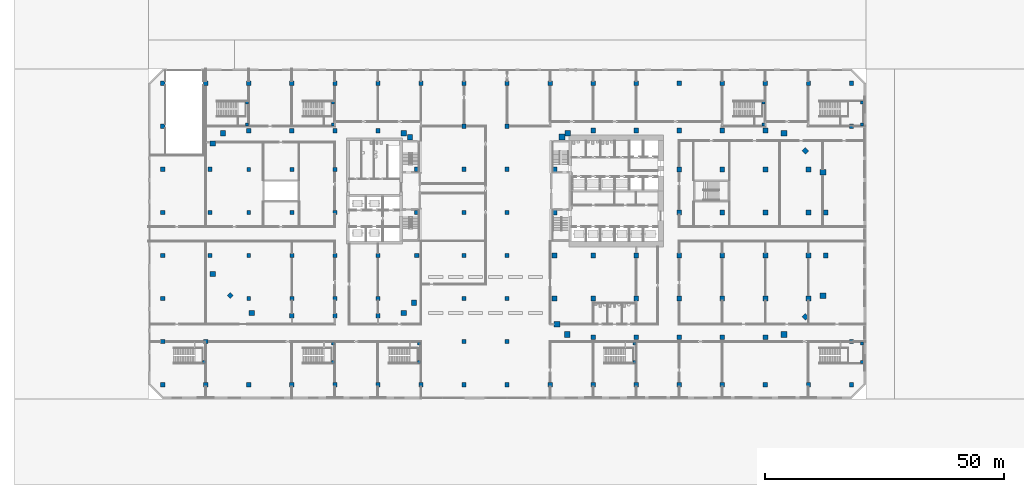
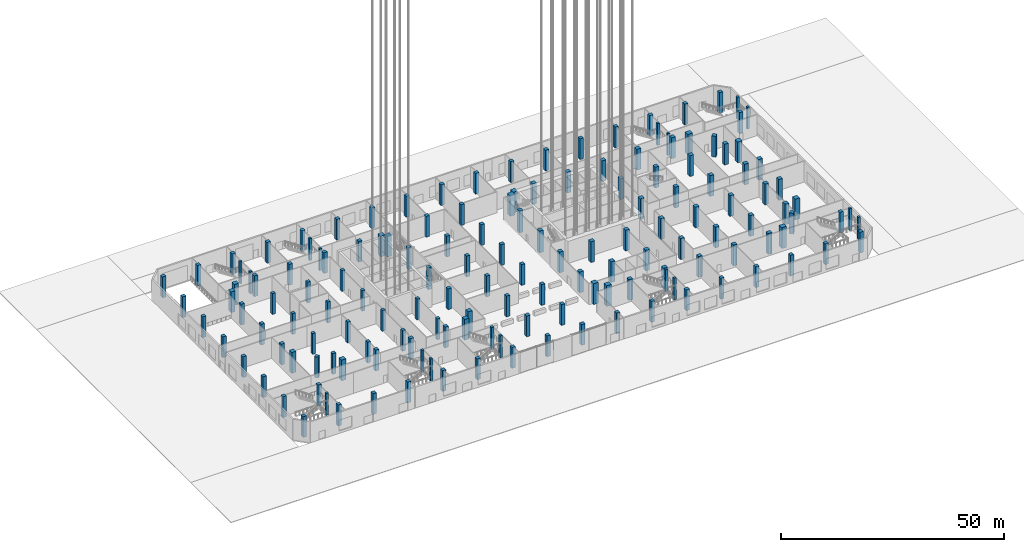
# One storey, part 1 of 55: 154 columns.
"""IFC4 building model written with IfcOpenShell, lengths in metres."""

from ifc_helpers import new_model, si_unit, direction, frame, origin, origin_2d, place, context, subcontext, project, spatial, rectangle, extrude, material, material_profile, profile_set, type_object, element, save


model = new_model("IFC4")

# Units and contexts
model_context = context("Model", 3, precision=1e-05, world=origin(), true_north=direction((0.0, 1.0)))
body_context = subcontext(model_context, "Body", "Model", "MODEL_VIEW")
ifc_project = project(units=[si_unit("LENGTHUNIT", "METRE"), si_unit("AREAUNIT", "SQUARE_METRE"), si_unit("VOLUMEUNIT", "CUBIC_METRE"), si_unit("PLANEANGLEUNIT", "RADIAN"), si_unit("MASSUNIT", "GRAM", prefix="KILO")], contexts=[model_context])

# Site, building, storey
site_placement = place(None, origin())
site = spatial("IfcSite", under=ifc_project, at=site_placement, CompositionType="ELEMENT")
building_placement = place(site_placement, origin())
building = spatial("IfcBuilding", under=site, at=building_placement, Name="Cinnabar Reach Civic Tower", CompositionType="ELEMENT")
storey_placement = place(building_placement, origin())
storey = spatial("IfcBuildingStorey", under=building, at=storey_placement, Name="L00", CompositionType="ELEMENT", Elevation=0.0)

# Columns
ifc_material_1 = material(Name="Concrete C70", Category="concrete")
ifc_material_profile_1 = material_profile(ifc_material_1, rectangle(XDim=1.0, YDim=1.0, at=origin_2d()), Name="RC1000")
ifc_profile_set_1 = profile_set([ifc_material_profile_1], Name="Concrete C70")
column_type_1 = type_object("IfcColumnType", Name="RC1000 column R 240", PredefinedType="COLUMN", material=ifc_profile_set_1)
for number, where, z_axis, x_axis, name in (
    (1, (9.0, 0.9, 0.0), (0.0, 0.0, 1.0), (1.0, 0.0, 0.0), "Column T1-Z1-F0-1"),
    (2, (18.0, 0.9, 0.0), (0.0, 0.0, 1.0), (1.0, 0.0, 0.0), "Column T1-Z1-F0-2"),
    (3, (27.0, 0.9, 0.0), (0.0, 0.0, 1.0), (1.0, 0.0, 0.0), "Column T1-Z1-F0-3"),
    (4, (36.0, 0.9, 0.0), (0.0, 0.0, 1.0), (1.0, 0.0, 0.0), "Column T1-Z1-F0-4"),
    (5, (45.0, 0.9, 0.0), (0.0, 0.0, 1.0), (1.0, 0.0, 0.0), "Column T1-Z1-F0-5"),
    (6, (53.3636, 5.1364, 0.0), (0.0, 0.0, 1.0), (0.707106781187, 0.707106781187, 0.0), "Column T1-Z1-F1-M"),
    (7, (57.6, 18.0, 0.0), (0.0, 0.0, 1.0), (1.0, 0.0, 0.0), "Column T1-Z1-F2-2"),
    (8, (57.6, 27.0, 0.0), (0.0, 0.0, 1.0), (1.0, 0.0, 0.0), "Column T1-Z1-F2-3"),
    (9, (53.3636, 39.8636, 0.0), (0.0, 0.0, 1.0), (0.707106781187, 0.707106781187, 0.0), "Column T1-Z1-F3-M"),
    (10, (9.0, 44.1, 0.0), (0.0, 0.0, 1.0), (1.0, 0.0, 0.0), "Column T1-Z1-F4-1"),
    (11, (18.0, 44.1, 0.0), (0.0, 0.0, 1.0), (1.0, 0.0, 0.0), "Column T1-Z1-F4-2"),
    (12, (27.0, 44.1, 0.0), (0.0, 0.0, 1.0), (1.0, 0.0, 0.0), "Column T1-Z1-F4-3"),
    (13, (36.0, 44.1, 0.0), (0.0, 0.0, 1.0), (1.0, 0.0, 0.0), "Column T1-Z1-F4-4"),
    (14, (45.0, 44.1, 0.0), (0.0, 0.0, 1.0), (1.0, 0.0, 0.0), "Column T1-Z1-F4-5"),
    (15, (0.9, 9.0, 0.0), (0.0, 0.0, 1.0), (1.0, 0.0, 0.0), "Column T1-Z1-F6-1"),
    (16, (0.9, 18.0, 0.0), (0.0, 0.0, 1.0), (1.0, 0.0, 0.0), "Column T1-Z1-F6-2"),
):
    element("IfcColumn", number, at=place(storey_placement, frame(where, z_axis=z_axis, x_axis=x_axis)), inside=storey, type_object=column_type_1, Name=name, PredefinedType="COLUMN", context=body_context, shape_type="SweptSolid", body=[
        extrude(rectangle(XDim=1.0, YDim=1.0, at=origin_2d()), origin(), (0.0, 0.0, 1.0), 5.7),
    ])
for number, where, z_axis, x_axis, name in (
    (17, (0.9, 27.0, 0.0), (0.0, 0.0, 1.0), (1.0, 0.0, 0.0), "Column T1-Z1-F6-3"),
    (18, (0.9, 36.0, 0.0), (0.0, 0.0, 1.0), (1.0, 0.0, 0.0), "Column T1-Z1-F6-4"),
):
    element("IfcColumn", number, at=place(storey_placement, frame(where, z_axis=z_axis, x_axis=x_axis)), inside=storey, type_object=column_type_1, Name=name, PredefinedType="COLUMN", context=body_context, shape_type="SweptSolid", body=[
        extrude(rectangle(XDim=1.0, YDim=1.0, at=origin_2d()), origin(), (0.0, 0.0, 1.0), 6.0),
    ])
for number, where, z_axis, x_axis, name in (
    (19, (9.0, 9.0, 0.0), (0.0, 0.0, 1.0), (1.0, 0.0, 0.0), "Column T1-Z1-I9_9"),
    (20, (9.0, 18.0, 0.0), (0.0, 0.0, 1.0), (1.0, 0.0, 0.0), "Column T1-Z1-I9_18"),
    (21, (18.0, 9.0, 0.0), (0.0, 0.0, 1.0), (1.0, 0.0, 0.0), "Column T1-Z1-I18_9"),
    (22, (18.0, 18.0, 0.0), (0.0, 0.0, 1.0), (1.0, 0.0, 0.0), "Column T1-Z1-I18_18"),
    (23, (27.0, 9.0, 0.0), (0.0, 0.0, 1.0), (1.0, 0.0, 0.0), "Column T1-Z1-I27_9"),
    (24, (27.0, 18.0, 0.0), (0.0, 0.0, 1.0), (1.0, 0.0, 0.0), "Column T1-Z1-I27_18"),
    (25, (27.0, 27.0, 0.0), (0.0, 0.0, 1.0), (1.0, 0.0, 0.0), "Column T1-Z1-I27_27"),
    (26, (27.0, 36.0, 0.0), (0.0, 0.0, 1.0), (1.0, 0.0, 0.0), "Column T1-Z1-I27_36"),
    (27, (36.0, 9.0, 0.0), (0.0, 0.0, 1.0), (1.0, 0.0, 0.0), "Column T1-Z1-I36_9"),
    (28, (36.0, 18.0, 0.0), (0.0, 0.0, 1.0), (1.0, 0.0, 0.0), "Column T1-Z1-I36_18"),
    (29, (36.0, 27.0, 0.0), (0.0, 0.0, 1.0), (1.0, 0.0, 0.0), "Column T1-Z1-I36_27"),
    (30, (36.0, 36.0, 0.0), (0.0, 0.0, 1.0), (1.0, 0.0, 0.0), "Column T1-Z1-I36_36"),
    (31, (45.0, 9.0, 0.0), (0.0, 0.0, 1.0), (1.0, 0.0, 0.0), "Column T1-Z1-I45_9"),
    (32, (45.0, 18.0, 0.0), (0.0, 0.0, 1.0), (1.0, 0.0, 0.0), "Column T1-Z1-I45_18"),
    (33, (45.0, 27.0, 0.0), (0.0, 0.0, 1.0), (1.0, 0.0, 0.0), "Column T1-Z1-I45_27"),
    (34, (45.0, 36.0, 0.0), (0.0, 0.0, 1.0), (1.0, 0.0, 0.0), "Column T1-Z1-I45_36"),
    (35, (54.0, 9.0, 0.0), (0.0, 0.0, 1.0), (1.0, 0.0, 0.0), "Column T1-Z1-I54_9"),
    (36, (54.0, 18.0, 0.0), (0.0, 0.0, 1.0), (1.0, 0.0, 0.0), "Column T1-Z1-I54_18"),
    (37, (54.0, 27.0, 0.0), (0.0, 0.0, 1.0), (1.0, 0.0, 0.0), "Column T1-Z1-I54_27"),
    (38, (54.0, 36.0, 0.0), (0.0, 0.0, 1.0), (1.0, 0.0, 0.0), "Column T1-Z1-I54_36"),
):
    element("IfcColumn", number, at=place(storey_placement, frame(where, z_axis=z_axis, x_axis=x_axis)), inside=storey, type_object=column_type_1, Name=name, PredefinedType="COLUMN", context=body_context, shape_type="SweptSolid", body=[
        extrude(rectangle(XDim=1.0, YDim=1.0, at=origin_2d()), origin(), (0.0, 0.0, 1.0), 5.7),
    ])
ifc_material_2 = material(Name="Concrete C80", Category="concrete")
ifc_material_profile_2 = material_profile(ifc_material_2, rectangle(XDim=1.1, YDim=1.1, at=origin_2d()), Name="RC1100")
ifc_profile_set_2 = profile_set([ifc_material_profile_2], Name="Concrete C80")
column_type_2 = type_object("IfcColumnType", Name="RC1100 column R 180", PredefinedType="COLUMN", material=ifc_profile_set_2)
for number, where, z_axis, x_axis, name in (
    (39, (-62.3981, 5.9531, 0.0), (0.0, 0.0, 1.0), (1.0, 0.0, 0.0), "Column T2-Z1-CC0"),
    (40, (-30.6019, 5.9531, 0.0), (0.0, 0.0, 1.0), (1.0, 0.0, 0.0), "Column T2-Z1-CC1"),
    (41, (-28.4531, 8.1019, 0.0), (0.0, 0.0, 1.0), (1.0, 0.0, 0.0), "Column T2-Z1-CC2"),
    (42, (-29.3131, 42.7, 0.0), (0.0, 0.0, 1.0), (1.0, 0.0, 0.0), "Column T2-Z1-CC3"),
    (43, (-30.6019, 43.5469, 0.0), (0.0, 0.0, 1.0), (1.0, 0.0, 0.0), "Column T2-Z1-CC4"),
    (44, (-68.3981, 43.5469, 0.0), (0.0, 0.0, 1.0), (1.0, 0.0, 0.0), "Column T2-Z1-CC5"),
    (45, (-70.5469, 41.3981, 0.0), (0.0, 0.0, 1.0), (1.0, 0.0, 0.0), "Column T2-Z1-CC6"),
    (46, (-70.5469, 14.1019, 0.0), (0.0, 0.0, 1.0), (1.0, 0.0, 0.0), "Column T2-Z1-CC7"),
):
    element("IfcColumn", number, at=place(storey_placement, frame(where, z_axis=z_axis, x_axis=x_axis)), inside=storey, type_object=column_type_2, Name=name, PredefinedType="COLUMN", context=body_context, shape_type="SweptSolid", body=[
        extrude(rectangle(XDim=1.1, YDim=1.1, at=origin_2d()), origin(), (0.0, 0.0, 1.0), 5.7),
    ])
ifc_material_profile_3 = material_profile(ifc_material_2, rectangle(XDim=1.2, YDim=1.2, at=origin_2d()), Name="RC1200")
ifc_profile_set_3 = profile_set([ifc_material_profile_3], Name="Concrete C80")
column_type_3 = type_object("IfcColumnType", Name="RC1200 column R 240", PredefinedType="COLUMN", material=ifc_profile_set_3)
for number, where, z_axis, x_axis, name in (
    (47, (3.6019, 1.4531, 0.0), (0.0, 0.0, 1.0), (1.0, 0.0, 0.0), "Column T1-Z1-CC0"),
    (48, (48.8981, 1.4531, 0.0), (0.0, 0.0, 1.0), (1.0, 0.0, 0.0), "Column T1-Z1-CC1"),
    (49, (57.0469, 9.6019, 0.0), (0.0, 0.0, 1.0), (1.0, 0.0, 0.0), "Column T1-Z1-CC2"),
    (50, (57.0469, 35.3981, 0.0), (0.0, 0.0, 1.0), (1.0, 0.0, 0.0), "Column T1-Z1-CC3"),
    (51, (48.8981, 43.5469, 0.0), (0.0, 0.0, 1.0), (1.0, 0.0, 0.0), "Column T1-Z1-CC4"),
    (52, (3.6666, 43.5737, 0.0), (0.0, 0.0, 1.0), (1.0, 0.0, 0.0), "Column T1-Z1-CC5"),
    (53, (2.4631, 42.75, 0.0), (0.0, 0.0, 1.0), (1.0, 0.0, 0.0), "Column T1-Z1-CC6"),
    (54, (1.4531, 3.6019, 0.0), (0.0, 0.0, 1.0), (1.0, 0.0, 0.0), "Column T1-Z1-CC7"),
):
    element("IfcColumn", number, at=place(storey_placement, frame(where, z_axis=z_axis, x_axis=x_axis)), inside=storey, type_object=column_type_3, Name=name, PredefinedType="COLUMN", context=body_context, shape_type="SweptSolid", body=[
        extrude(rectangle(XDim=1.2, YDim=1.2, at=origin_2d()), origin(), (0.0, 0.0, 1.0), 5.7),
    ])
ifc_material_3 = material(Name="Concrete C60", Category="concrete")
ifc_material_profile_4 = material_profile(ifc_material_3, rectangle(XDim=0.6, YDim=0.6, at=origin_2d()), Name="RC600")
ifc_profile_set_4 = profile_set([ifc_material_profile_4], Name="Concrete C60")
column_type_4 = type_object("IfcColumnType", Name="RC600 landing post R 240", PredefinedType="COLUMN", material=ifc_profile_set_4)
for number, where, z_axis, x_axis, name in (
    (55, (-72.4, -4.25, 0.0), (0.0, 0.0, 1.0), (1.0, 0.0, 0.0), "Landing post PS1 L00 1"),
    (56, (-63.4, 49.95, 0.0), (0.0, 0.0, 1.0), (1.0, 0.0, 0.0), "Landing post PS2 L00 1"),
    (57, (-63.4, 45.4, 0.0), (0.0, 0.0, 1.0), (1.0, 0.0, 0.0), "Landing post PS2 L00 2"),
    (58, (17.6, -4.25, 0.0), (0.0, 0.0, 1.0), (1.0, 0.0, 0.0), "Landing post PS3 L00 1"),
    (59, (17.6, -0.4, 0.0), (0.0, 0.0, 1.0), (1.0, 0.0, 0.0), "Landing post PS3 L00 2"),
    (60, (65.2, -4.25, 0.0), (0.0, 0.0, 1.0), (1.0, 0.0, 0.0), "Landing post PS4 L00 1"),
    (61, (65.2, -0.4, 0.0), (0.0, 0.0, 1.0), (1.0, 0.0, 0.0), "Landing post PS4 L00 2"),
    (62, (65.2, 49.95, 0.0), (0.0, 0.0, 1.0), (1.0, 0.0, 0.0), "Landing post PS5 L00 1"),
    (63, (65.2, 45.4, 0.0), (0.0, 0.0, 1.0), (1.0, 0.0, 0.0), "Landing post PS5 L00 2"),
    (64, (44.6, 49.95, 0.0), (0.0, 0.0, 1.0), (1.0, 0.0, 0.0), "Landing post PS6 L00 1"),
    (65, (44.6, 45.4, 0.0), (0.0, 0.0, 1.0), (1.0, 0.0, 0.0), "Landing post PS6 L00 2"),
    (66, (-45.4, 49.95, 0.0), (0.0, 0.0, 1.0), (1.0, 0.0, 0.0), "Landing post PS7 L00 1"),
    (67, (-45.4, 45.4, 0.0), (0.0, 0.0, 1.0), (1.0, 0.0, 0.0), "Landing post PS7 L00 2"),
    (68, (-45.4, -4.25, 0.0), (0.0, 0.0, 1.0), (1.0, 0.0, 0.0), "Landing post PS8 L00 1"),
    (69, (-45.4, -0.4, 0.0), (0.0, 0.0, 1.0), (1.0, 0.0, 0.0), "Landing post PS8 L00 2"),
    (70, (-27.4, -4.25, 0.0), (0.0, 0.0, 1.0), (1.0, 0.0, 0.0), "Landing post PS9 L00 1"),
    (71, (-27.4, -0.4, 0.0), (0.0, 0.0, 1.0), (1.0, 0.0, 0.0), "Landing post PS9 L00 2"),
):
    element("IfcColumn", number, at=place(storey_placement, frame(where, z_axis=z_axis, x_axis=x_axis)), inside=storey, type_object=column_type_4, Name=name, PredefinedType="COLUMN", context=body_context, shape_type="SweptSolid", body=[
        extrude(rectangle(XDim=0.6, YDim=0.6, at=origin_2d()), origin(), (0.0, 0.0, 1.0), 6.0),
    ])
ifc_material_profile_5 = material_profile(ifc_material_3, rectangle(XDim=0.8, YDim=0.8, at=origin_2d()), Name="RC800")
ifc_profile_set_5 = profile_set([ifc_material_profile_5], Name="Concrete C60")
column_type_5 = type_object("IfcColumnType", Name="RC800 column R 180", PredefinedType="COLUMN", material=ifc_profile_set_5)
for number, where, z_axis, x_axis, name in (
    (72, (-63.0, 9.0, 0.0), (0.0, 0.0, 1.0), (1.0, 0.0, 0.0), "Column T2-Z1-I-63_9"),
    (73, (-63.0, 18.0, 0.0), (0.0, 0.0, 1.0), (1.0, 0.0, 0.0), "Column T2-Z1-I-63_18"),
    (74, (-63.0, 27.0, 0.0), (0.0, 0.0, 1.0), (1.0, 0.0, 0.0), "Column T2-Z1-I-63_27"),
    (75, (-63.0, 36.0, 0.0), (0.0, 0.0, 1.0), (1.0, 0.0, 0.0), "Column T2-Z1-I-63_36"),
    (76, (-54.0, 9.0, 0.0), (0.0, 0.0, 1.0), (1.0, 0.0, 0.0), "Column T2-Z1-I-54_9"),
    (77, (-54.0, 18.0, 0.0), (0.0, 0.0, 1.0), (1.0, 0.0, 0.0), "Column T2-Z1-I-54_18"),
    (78, (-54.0, 27.0, 0.0), (0.0, 0.0, 1.0), (1.0, 0.0, 0.0), "Column T2-Z1-I-54_27"),
    (79, (-54.0, 36.0, 0.0), (0.0, 0.0, 1.0), (1.0, 0.0, 0.0), "Column T2-Z1-I-54_36"),
    (80, (-45.0, 9.0, 0.0), (0.0, 0.0, 1.0), (1.0, 0.0, 0.0), "Column T2-Z1-I-45_9"),
    (81, (-45.0, 18.0, 0.0), (0.0, 0.0, 1.0), (1.0, 0.0, 0.0), "Column T2-Z1-I-45_18"),
    (82, (-45.0, 27.0, 0.0), (0.0, 0.0, 1.0), (1.0, 0.0, 0.0), "Column T2-Z1-I-45_27"),
    (83, (-45.0, 36.0, 0.0), (0.0, 0.0, 1.0), (1.0, 0.0, 0.0), "Column T2-Z1-I-45_36"),
    (84, (-36.0, 9.0, 0.0), (0.0, 0.0, 1.0), (1.0, 0.0, 0.0), "Column T2-Z1-I-36_9"),
    (85, (-36.0, 18.0, 0.0), (0.0, 0.0, 1.0), (1.0, 0.0, 0.0), "Column T2-Z1-I-36_18"),
):
    element("IfcColumn", number, at=place(storey_placement, frame(where, z_axis=z_axis, x_axis=x_axis)), inside=storey, type_object=column_type_5, Name=name, PredefinedType="COLUMN", context=body_context, shape_type="SweptSolid", body=[
        extrude(rectangle(XDim=0.8, YDim=0.8, at=origin_2d()), origin(), (0.0, 0.0, 1.0), 5.7),
    ])
ifc_material_profile_6 = material_profile(ifc_material_1, rectangle(XDim=0.9, YDim=0.9, at=origin_2d()), Name="RC900")
ifc_profile_set_6 = profile_set([ifc_material_profile_6], Name="Concrete C70")
column_type_6 = type_object("IfcColumnType", Name="RC900 column R 180", PredefinedType="COLUMN", material=ifc_profile_set_6)
for number, where, z_axis, x_axis, name in (
    (86, (-54.0, 5.4, 0.0), (0.0, 0.0, 1.0), (1.0, 0.0, 0.0), "Column T2-Z1-F0--6"),
    (87, (-45.0, 5.4, 0.0), (0.0, 0.0, 1.0), (1.0, 0.0, 0.0), "Column T2-Z1-F0--5"),
    (88, (-36.0, 5.4, 0.0), (0.0, 0.0, 1.0), (1.0, 0.0, 0.0), "Column T2-Z1-F0--4"),
    (89, (-27.9, 18.0, 0.0), (0.0, 0.0, 1.0), (1.0, 0.0, 0.0), "Column T2-Z1-F2-2"),
):
    element("IfcColumn", number, at=place(storey_placement, frame(where, z_axis=z_axis, x_axis=x_axis)), inside=storey, type_object=column_type_6, Name=name, PredefinedType="COLUMN", context=body_context, shape_type="SweptSolid", body=[
        extrude(rectangle(XDim=0.9, YDim=0.9, at=origin_2d()), origin(), (0.0, 0.0, 1.0), 5.7),
    ])
for number, where, z_axis, x_axis, name in (
    (90, (-27.9, 27.0, 0.0), (0.0, 0.0, 1.0), (1.0, 0.0, 0.0), "Column T2-Z1-F2-3"),
    (91, (-27.9, 36.0, 0.0), (0.0, 0.0, 1.0), (1.0, 0.0, 0.0), "Column T2-Z1-F2-4"),
):
    element("IfcColumn", number, at=place(storey_placement, frame(where, z_axis=z_axis, x_axis=x_axis)), inside=storey, type_object=column_type_6, Name=name, PredefinedType="COLUMN", context=body_context, shape_type="SweptSolid", body=[
        extrude(rectangle(XDim=0.9, YDim=0.9, at=origin_2d()), origin(), (0.0, 0.0, 1.0), 6.0),
    ])
for number, where, z_axis, x_axis, name in (
    (92, (-63.0, 44.1, 0.0), (0.0, 0.0, 1.0), (1.0, 0.0, 0.0), "Column T2-Z1-F4--7"),
    (93, (-54.0, 44.1, 0.0), (0.0, 0.0, 1.0), (1.0, 0.0, 0.0), "Column T2-Z1-F4--6"),
    (94, (-45.0, 44.1, 0.0), (0.0, 0.0, 1.0), (1.0, 0.0, 0.0), "Column T2-Z1-F4--5"),
    (95, (-36.0, 44.1, 0.0), (0.0, 0.0, 1.0), (1.0, 0.0, 0.0), "Column T2-Z1-F4--4"),
    (96, (-71.1, 18.0, 0.0), (0.0, 0.0, 1.0), (1.0, 0.0, 0.0), "Column T2-Z1-F6-2"),
    (97, (-71.1, 27.0, 0.0), (0.0, 0.0, 1.0), (1.0, 0.0, 0.0), "Column T2-Z1-F6-3"),
    (98, (-71.1, 36.0, 0.0), (0.0, 0.0, 1.0), (1.0, 0.0, 0.0), "Column T2-Z1-F6-4"),
    (99, (-66.8636, 9.6364, 0.0), (0.0, 0.0, 1.0), (0.707106781187, 0.707106781187, 0.0), "Column T2-Z1-F7-M"),
):
    element("IfcColumn", number, at=place(storey_placement, frame(where, z_axis=z_axis, x_axis=x_axis)), inside=storey, type_object=column_type_6, Name=name, PredefinedType="COLUMN", context=body_context, shape_type="SweptSolid", body=[
        extrude(rectangle(XDim=0.9, YDim=0.9, at=origin_2d()), origin(), (0.0, 0.0, 1.0), 5.7),
    ])
ifc_material_profile_7 = material_profile(ifc_material_1, rectangle(XDim=0.9, YDim=0.9, at=origin_2d()), Name="RC900")
ifc_profile_set_7 = profile_set([ifc_material_profile_7], Name="Concrete C70")
column_type_7 = type_object("IfcColumnType", Name="RC900 column R 240", PredefinedType="COLUMN", material=ifc_profile_set_7)
for number, where, z_axis, x_axis, name in (
    (100, (-81.0, -9.0, 0.0), (0.0, 0.0, 1.0), (1.0, 0.0, 0.0), "Column -81/-9 L00"),
    (101, (-81.0, 0.0, 0.0), (0.0, 0.0, 1.0), (1.0, 0.0, 0.0), "Column -81/0 L00"),
    (102, (-81.0, 9.0, 0.0), (0.0, 0.0, 1.0), (1.0, 0.0, 0.0), "Column -81/9 L00"),
    (103, (-81.0, 18.0, 0.0), (0.0, 0.0, 1.0), (1.0, 0.0, 0.0), "Column -81/18 L00"),
    (104, (-81.0, 27.0, 0.0), (0.0, 0.0, 1.0), (1.0, 0.0, 0.0), "Column -81/27 L00"),
    (105, (-81.0, 36.0, 0.0), (0.0, 0.0, 1.0), (1.0, 0.0, 0.0), "Column -81/36 L00"),
    (106, (-81.0, 45.0, 0.0), (0.0, 0.0, 1.0), (1.0, 0.0, 0.0), "Column -81/45 L00"),
    (107, (-81.0, 54.0, 0.0), (0.0, 0.0, 1.0), (1.0, 0.0, 0.0), "Column -81/54 L00"),
    (108, (-72.0, -9.0, 0.0), (0.0, 0.0, 1.0), (1.0, 0.0, 0.0), "Column -72/-9 L00"),
    (109, (-72.0, 0.0, 0.0), (0.0, 0.0, 1.0), (1.0, 0.0, 0.0), "Column -72/0 L00"),
    (110, (-72.0, 54.0, 0.0), (0.0, 0.0, 1.0), (1.0, 0.0, 0.0), "Column -72/54 L00"),
    (111, (-63.0, -9.0, 0.0), (0.0, 0.0, 1.0), (1.0, 0.0, 0.0), "Column -63/-9 L00"),
    (112, (-63.0, 54.0, 0.0), (0.0, 0.0, 1.0), (1.0, 0.0, 0.0), "Column -63/54 L00"),
    (113, (-54.0, -9.0, 0.0), (0.0, 0.0, 1.0), (1.0, 0.0, 0.0), "Column -54/-9 L00"),
    (114, (-54.0, 54.0, 0.0), (0.0, 0.0, 1.0), (1.0, 0.0, 0.0), "Column -54/54 L00"),
    (115, (-45.0, -9.0, 0.0), (0.0, 0.0, 1.0), (1.0, 0.0, 0.0), "Column -45/-9 L00"),
    (116, (-45.0, 54.0, 0.0), (0.0, 0.0, 1.0), (1.0, 0.0, 0.0), "Column -45/54 L00"),
    (117, (-36.0, -9.0, 0.0), (0.0, 0.0, 1.0), (1.0, 0.0, 0.0), "Column -36/-9 L00"),
    (118, (-36.0, 54.0, 0.0), (0.0, 0.0, 1.0), (1.0, 0.0, 0.0), "Column -36/54 L00"),
    (119, (-27.0, -9.0, 0.0), (0.0, 0.0, 1.0), (1.0, 0.0, 0.0), "Column -27/-9 L00"),
    (120, (-27.0, 54.0, 0.0), (0.0, 0.0, 1.0), (1.0, 0.0, 0.0), "Column -27/54 L00"),
    (121, (-18.0, -9.0, 0.0), (0.0, 0.0, 1.0), (1.0, 0.0, 0.0), "Column -18/-9 L00"),
    (122, (-18.0, 0.0, 0.0), (0.0, 0.0, 1.0), (1.0, 0.0, 0.0), "Column -18/0 L00"),
    (123, (-18.0, 9.0, 0.0), (0.0, 0.0, 1.0), (1.0, 0.0, 0.0), "Column -18/9 L00"),
    (124, (-18.0, 18.0, 0.0), (0.0, 0.0, 1.0), (1.0, 0.0, 0.0), "Column -18/18 L00"),
    (125, (-18.0, 27.0, 0.0), (0.0, 0.0, 1.0), (1.0, 0.0, 0.0), "Column -18/27 L00"),
    (126, (-18.0, 36.0, 0.0), (0.0, 0.0, 1.0), (1.0, 0.0, 0.0), "Column -18/36 L00"),
    (127, (-18.0, 45.0, 0.0), (0.0, 0.0, 1.0), (1.0, 0.0, 0.0), "Column -18/45 L00"),
    (128, (-18.0, 54.0, 0.0), (0.0, 0.0, 1.0), (1.0, 0.0, 0.0), "Column -18/54 L00"),
    (129, (-9.0, -9.0, 0.0), (0.0, 0.0, 1.0), (1.0, 0.0, 0.0), "Column -9/-9 L00"),
    (130, (-9.0, 0.0, 0.0), (0.0, 0.0, 1.0), (1.0, 0.0, 0.0), "Column -9/0 L00"),
    (131, (-9.0, 9.0, 0.0), (0.0, 0.0, 1.0), (1.0, 0.0, 0.0), "Column -9/9 L00"),
    (132, (-9.0, 18.0, 0.0), (0.0, 0.0, 1.0), (1.0, 0.0, 0.0), "Column -9/18 L00"),
    (133, (-9.0, 27.0, 0.0), (0.0, 0.0, 1.0), (1.0, 0.0, 0.0), "Column -9/27 L00"),
    (134, (-9.0, 36.0, 0.0), (0.0, 0.0, 1.0), (1.0, 0.0, 0.0), "Column -9/36 L00"),
    (135, (-9.0, 45.0, 0.0), (0.0, 0.0, 1.0), (1.0, 0.0, 0.0), "Column -9/45 L00"),
    (136, (-9.0, 54.0, 0.0), (0.0, 0.0, 1.0), (1.0, 0.0, 0.0), "Column -9/54 L00"),
    (137, (0.0, -9.0, 0.0), (0.0, 0.0, 1.0), (1.0, 0.0, 0.0), "Column 0/-9 L00"),
    (138, (0.0, 54.0, 0.0), (0.0, 0.0, 1.0), (1.0, 0.0, 0.0), "Column 0/54 L00"),
    (139, (9.0, -9.0, 0.0), (0.0, 0.0, 1.0), (1.0, 0.0, 0.0), "Column 9/-9 L00"),
    (140, (9.0, 54.0, 0.0), (0.0, 0.0, 1.0), (1.0, 0.0, 0.0), "Column 9/54 L00"),
    (141, (18.0, -9.0, 0.0), (0.0, 0.0, 1.0), (1.0, 0.0, 0.0), "Column 18/-9 L00"),
    (142, (18.0, 54.0, 0.0), (0.0, 0.0, 1.0), (1.0, 0.0, 0.0), "Column 18/54 L00"),
    (143, (27.0, -9.0, 0.0), (0.0, 0.0, 1.0), (1.0, 0.0, 0.0), "Column 27/-9 L00"),
    (144, (27.0, 54.0, 0.0), (0.0, 0.0, 1.0), (1.0, 0.0, 0.0), "Column 27/54 L00"),
    (145, (36.0, -9.0, 0.0), (0.0, 0.0, 1.0), (1.0, 0.0, 0.0), "Column 36/-9 L00"),
    (146, (36.0, 54.0, 0.0), (0.0, 0.0, 1.0), (1.0, 0.0, 0.0), "Column 36/54 L00"),
    (147, (45.0, -9.0, 0.0), (0.0, 0.0, 1.0), (1.0, 0.0, 0.0), "Column 45/-9 L00"),
    (148, (45.0, 54.0, 0.0), (0.0, 0.0, 1.0), (1.0, 0.0, 0.0), "Column 45/54 L00"),
    (149, (54.0, -9.0, 0.0), (0.0, 0.0, 1.0), (1.0, 0.0, 0.0), "Column 54/-9 L00"),
    (150, (54.0, 54.0, 0.0), (0.0, 0.0, 1.0), (1.0, 0.0, 0.0), "Column 54/54 L00"),
    (151, (63.0, -9.0, 0.0), (0.0, 0.0, 1.0), (1.0, 0.0, 0.0), "Column 63/-9 L00"),
    (152, (63.0, 0.0, 0.0), (0.0, 0.0, 1.0), (1.0, 0.0, 0.0), "Column 63/0 L00"),
    (153, (63.0, 45.0, 0.0), (0.0, 0.0, 1.0), (1.0, 0.0, 0.0), "Column 63/45 L00"),
    (154, (63.0, 54.0, 0.0), (0.0, 0.0, 1.0), (1.0, 0.0, 0.0), "Column 63/54 L00"),
):
    element("IfcColumn", number, at=place(storey_placement, frame(where, z_axis=z_axis, x_axis=x_axis)), inside=storey, type_object=column_type_7, Name=name, PredefinedType="COLUMN", context=body_context, shape_type="SweptSolid", body=[
        extrude(rectangle(XDim=0.9, YDim=0.9, at=origin_2d()), origin(), (0.0, 0.0, 1.0), 5.7),
    ])

save(model, "model.ifc")
